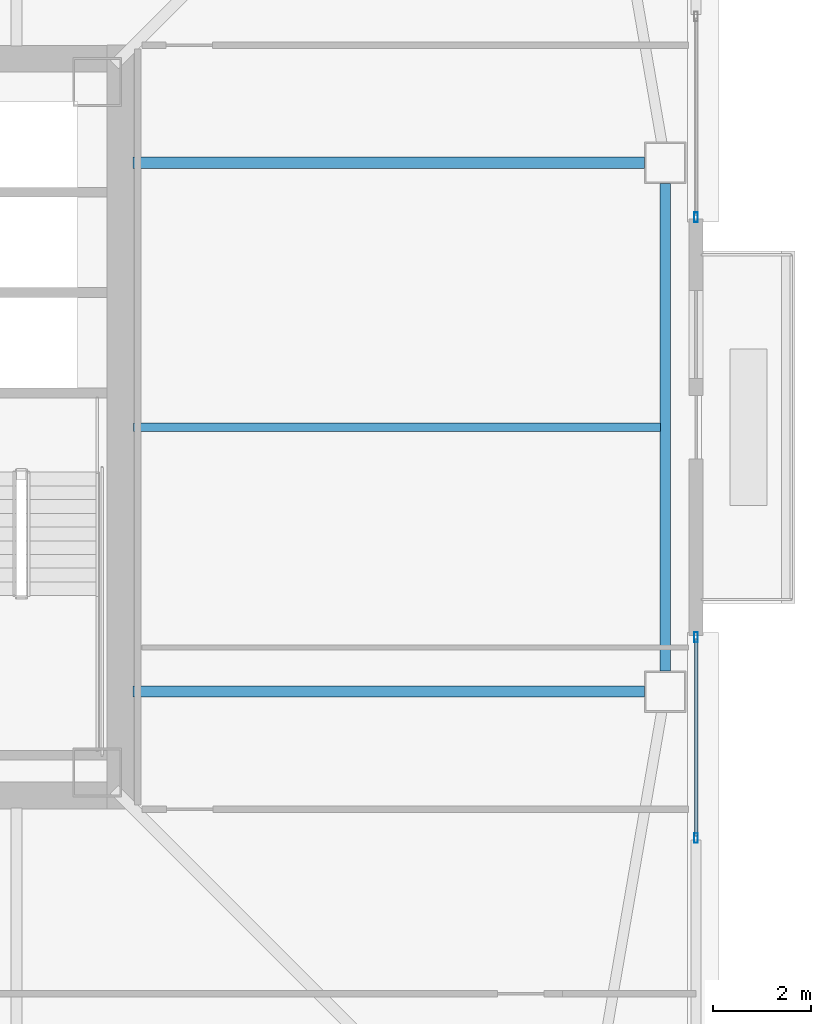
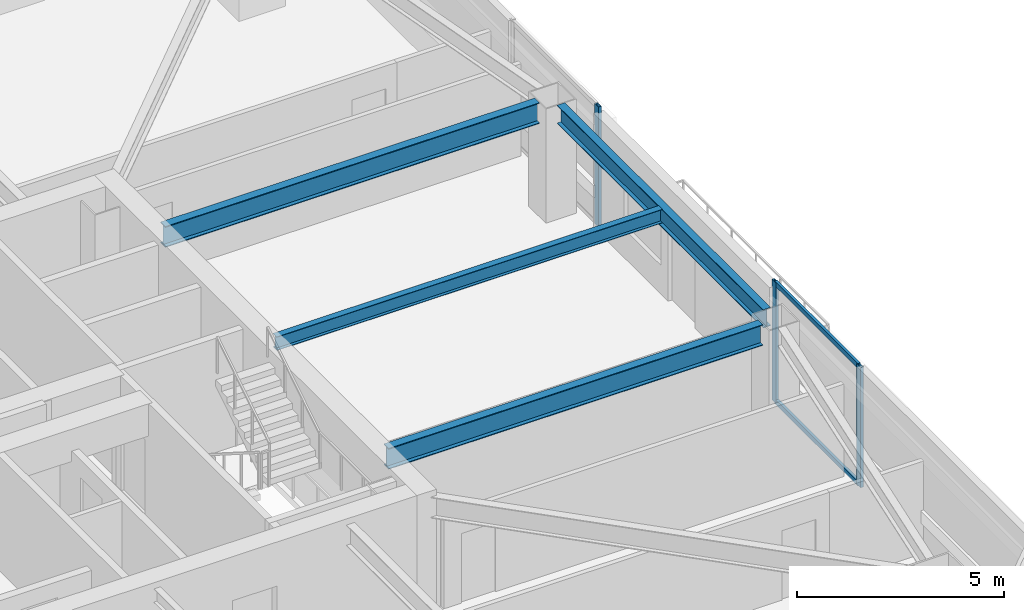
# One storey, part 10 of 40: 5 members, 4 beams, 2 elements without a shape of their own.
"""IFC4 building model written with IfcOpenShell, lengths in metres."""

from ifc_helpers import new_model, si_unit, direction, frame, origin, origin_2d, place, context, subcontext, project, spatial, hollow_rectangle, i_section, extrude, material, material_profile, profile_set, type_object, element, aggregate, save


model = new_model("IFC4")

# Units and contexts
model_context = context("Model", 3, precision=1e-05, world=origin(), true_north=direction((0.0, 1.0)))
body_context = subcontext(model_context, "Body", "Model", "MODEL_VIEW")
ifc_project = project(units=[si_unit("LENGTHUNIT", "METRE"), si_unit("AREAUNIT", "SQUARE_METRE"), si_unit("VOLUMEUNIT", "CUBIC_METRE"), si_unit("PLANEANGLEUNIT", "RADIAN"), si_unit("MASSUNIT", "GRAM", prefix="KILO")], contexts=[model_context])

# Site, building, storey
site_placement = place(None, origin())
site = spatial("IfcSite", under=ifc_project, at=site_placement, CompositionType="ELEMENT")
building_placement = place(site_placement, origin())
building = spatial("IfcBuilding", under=site, at=building_placement, Name="Tashvorn Skyway Center", CompositionType="ELEMENT")
storey_placement = place(building_placement, frame((0.0, 0.0, 142.800048828125)))
storey = spatial("IfcBuildingStorey", under=building, at=storey_placement, Name="L38", CompositionType="ELEMENT", Elevation=142.800048828125)

# Beams
ifc_material_1 = material(Name="Steel ASTM A992 Grade 50", Category="steel")
ifc_material_profile_1 = material_profile(ifc_material_1, i_section(OverallWidth=0.22998046875, OverallDepth=0.616943359375, WebThickness=0.01318359375, FlangeThickness=0.022216796875, at=origin_2d()), Name="W24X94")
ifc_profile_set_1 = profile_set([ifc_material_profile_1], Name="Steel ASTM A992 Grade 50")
beam_type_1 = type_object("IfcBeamType", Name="BM-BEAM-W24X94", PredefinedType="BEAM", material=ifc_profile_set_1)
for number, where, z_axis, x_axis, name in (
    (1, (60.22998046875, 26.60009765625, 3.0615234375), (-1.0, 0.0, 0.0), (0.0, -1.0, 0.0), "Tower 1 L38 Primary Floor Girder FC-E1"),
    (2, (60.22998046875, 37.39990234375, 3.0615234375), (-1.0, 0.0, 0.0), (0.0, -1.0, 0.0), "Tower 1 L38 Primary Floor Girder FC-E2"),
):
    element("IfcBeam", number, at=place(storey_placement, frame(where, z_axis=z_axis, x_axis=x_axis)), inside=storey, type_object=beam_type_1, Name=name, PredefinedType="BEAM", context=body_context, shape_type="SweptSolid", body=[
        extrude(i_section(OverallWidth=0.22998046875, OverallDepth=0.616943359375, WebThickness=0.01318359375, FlangeThickness=0.022216796875, at=origin_2d()), origin(), (0.0, 0.0, 1.0), 10.449951171875),
    ])
ifc_material_profile_2 = material_profile(ifc_material_1, i_section(OverallWidth=0.177978515625, OverallDepth=0.406005859375, WebThickness=0.0078125, FlangeThickness=0.0126953125, at=origin_2d()), Name="W16X40")
ifc_profile_set_2 = profile_set([ifc_material_profile_2], Name="Steel ASTM A992 Grade 50")
beam_type_2 = type_object("IfcBeamType", Name="BM-JOIST-W16X40", PredefinedType="JOIST", material=ifc_profile_set_2)
beam_1_placement = place(storey_placement, frame((49.7900390625, 32.0, 3.1669921875), z_axis=(1.0, 0.0, 0.0), x_axis=(0.0, 1.0, 0.0)))
element("IfcBeam", 3, at=beam_1_placement, inside=storey, type_object=beam_type_2, Name="Tower 1 L38 Secondary Composite Joist JE", PredefinedType="JOIST", context=body_context, shape_type="SweptSolid", body=[
    extrude(i_section(OverallWidth=0.177978515625, OverallDepth=0.406005859375, WebThickness=0.0078125, FlangeThickness=0.0126953125, at=origin_2d()), origin(), (0.0, 0.0, 1.0), 10.762451171875),
])
ifc_material_profile_3 = material_profile(ifc_material_1, i_section(OverallWidth=0.2109375, OverallDepth=0.5390625, WebThickness=0.01171875, FlangeThickness=0.018798828125, at=origin_2d()), Name="W21X73")
ifc_profile_set_3 = profile_set([ifc_material_profile_3], Name="Steel ASTM A992 Grade 50")
beam_type_3 = type_object("IfcBeamType", Name="BM-SPANDREL-W21X73", PredefinedType="SPANDREL", material=ifc_profile_set_3)
beam_2_placement = place(storey_placement, frame((60.64990234375, 27.02001953125, 3.100341796875), z_axis=(0.0, 1.0, 0.0), x_axis=(-1.0, 0.0, 0.0)))
element("IfcBeam", 4, at=beam_2_placement, inside=storey, type_object=beam_type_3, Name="Tower 1 L38 Spandrel Beam 05", PredefinedType="SPANDREL", context=body_context, shape_type="SweptSolid", body=[
    extrude(i_section(OverallWidth=0.2109375, OverallDepth=0.5390625, WebThickness=0.01171875, FlangeThickness=0.018798828125, at=origin_2d()), origin(), (0.0, 0.0, 1.0), 9.9599609375),
])

# Curtain wall, member
ifc_material_2 = material(Name="Thermally broken bronze-anodized aluminium 6063-T6", Category="aluminium")
curtain_wall_type = type_object("IfcCurtainWallType", Name="CW-CW-Z3", PredefinedType="NOTDEFINED", material=ifc_material_2)
curtain_wall_1_placement = place(storey_placement, origin())
curtain_wall_1 = element("IfcCurtainWall", 5, at=curtain_wall_1_placement, inside=storey, type_object=curtain_wall_type, Name="Tower 1 L38 East Curtain Wall L Glazing Group 1", PredefinedType="NOTDEFINED")
ifc_material_profile_4 = material_profile(ifc_material_2, hollow_rectangle(XDim=0.074951171875, YDim=0.199951171875, WallThickness=0.00439453125, at=origin_2d()), Name="ALU-MULL-75x200")
ifc_profile_set_4 = profile_set([ifc_material_profile_4], Name="Thermally broken bronze-anodized aluminium 6063-T6")
member_type_1 = type_object("IfcMemberType", Name="CWM-CW-Z3", PredefinedType="MULLION", material=ifc_profile_set_4)
member_1_placement = place(storey_placement, frame((61.280029296875, 36.28759765625, 0.0), z_axis=(0.0, 0.0, 1.0), x_axis=(1.0, 0.0, 0.0)))
member_1 = element("IfcMember", 6, at=member_1_placement, type_object=member_type_1, Name="CW-Z3 mullion 2", PredefinedType="MULLION", context=body_context, shape_type="SweptSolid", body=[
    extrude(hollow_rectangle(XDim=0.074951171875, YDim=0.199951171875, WallThickness=0.00439453125, at=origin_2d()), origin(), (0.0, 0.0, 1.0), 3.550048828125),
])
aggregate(curtain_wall_1, [member_1])

# Curtain wall, members
curtain_wall_2_placement = place(storey_placement, origin())
curtain_wall_2 = element("IfcCurtainWall", 7, at=curtain_wall_2_placement, inside=storey, type_object=curtain_wall_type, Name="Tower 1 L38 East Curtain Wall R Glazing Group 1", PredefinedType="NOTDEFINED")
member_2_placement = place(storey_placement, frame((61.280029296875, 27.71240234375, 0.0), z_axis=(0.0, 0.0, 1.0), x_axis=(1.0, 0.0, 0.0)))
member_2 = element("IfcMember", 8, at=member_2_placement, type_object=member_type_1, Name="CW-Z3 mullion 1", PredefinedType="MULLION", context=body_context, shape_type="SweptSolid", body=[
    extrude(hollow_rectangle(XDim=0.074951171875, YDim=0.199951171875, WallThickness=0.00439453125, at=origin_2d()), origin(), (0.0, 0.0, 1.0), 3.550048828125),
])
member_3_placement = place(storey_placement, frame((61.280029296875, 23.61083984375, 0.0), z_axis=(0.0, 0.0, 1.0), x_axis=(1.0, 0.0, 0.0)))
member_3 = element("IfcMember", 9, at=member_3_placement, type_object=member_type_1, Name="CW-Z3 mullion 2", PredefinedType="MULLION", context=body_context, shape_type="SweptSolid", body=[
    extrude(hollow_rectangle(XDim=0.074951171875, YDim=0.199951171875, WallThickness=0.00439453125, at=origin_2d()), origin(), (0.0, 0.0, 1.0), 3.550048828125),
])
ifc_material_profile_5 = material_profile(ifc_material_2, hollow_rectangle(XDim=0.074951171875, YDim=0.139892578125, WallThickness=0.004150390625, at=origin_2d()), Name="ALU-TRAN-75x140")
ifc_profile_set_5 = profile_set([ifc_material_profile_5], Name="Thermally broken bronze-anodized aluminium 6063-T6")
member_type_2 = type_object("IfcMemberType", Name="CWT-CW-Z3", PredefinedType="USERDEFINED", material=ifc_profile_set_5)
member_4_placement = place(storey_placement, frame((61.280029296875, 27.675048828125, 0.037353515625), z_axis=(0.0, -1.0, 0.0), x_axis=(1.0, 0.0, 0.0)))
member_4 = element("IfcMember", 10, at=member_4_placement, type_object=member_type_2, Name="CW-Z3 transom 1.1", ObjectType="TRANSOM", PredefinedType="USERDEFINED", context=body_context, shape_type="SweptSolid", body=[
    extrude(hollow_rectangle(XDim=0.074951171875, YDim=0.139892578125, WallThickness=0.004150390625, at=origin_2d()), origin(), (0.0, 0.0, 1.0), 4.02685546875),
])
member_5_placement = place(storey_placement, frame((61.280029296875, 27.675048828125, 3.512451171875), z_axis=(0.0, -1.0, 0.0), x_axis=(1.0, 0.0, 0.0)))
member_5 = element("IfcMember", 11, at=member_5_placement, type_object=member_type_2, Name="CW-Z3 transom 1.2", ObjectType="TRANSOM", PredefinedType="USERDEFINED", context=body_context, shape_type="SweptSolid", body=[
    extrude(hollow_rectangle(XDim=0.074951171875, YDim=0.139892578125, WallThickness=0.004150390625, at=origin_2d()), origin(), (0.0, 0.0, 1.0), 4.02685546875),
])
aggregate(curtain_wall_2, [member_2, member_3, member_4, member_5])

save(model, "model.ifc")
